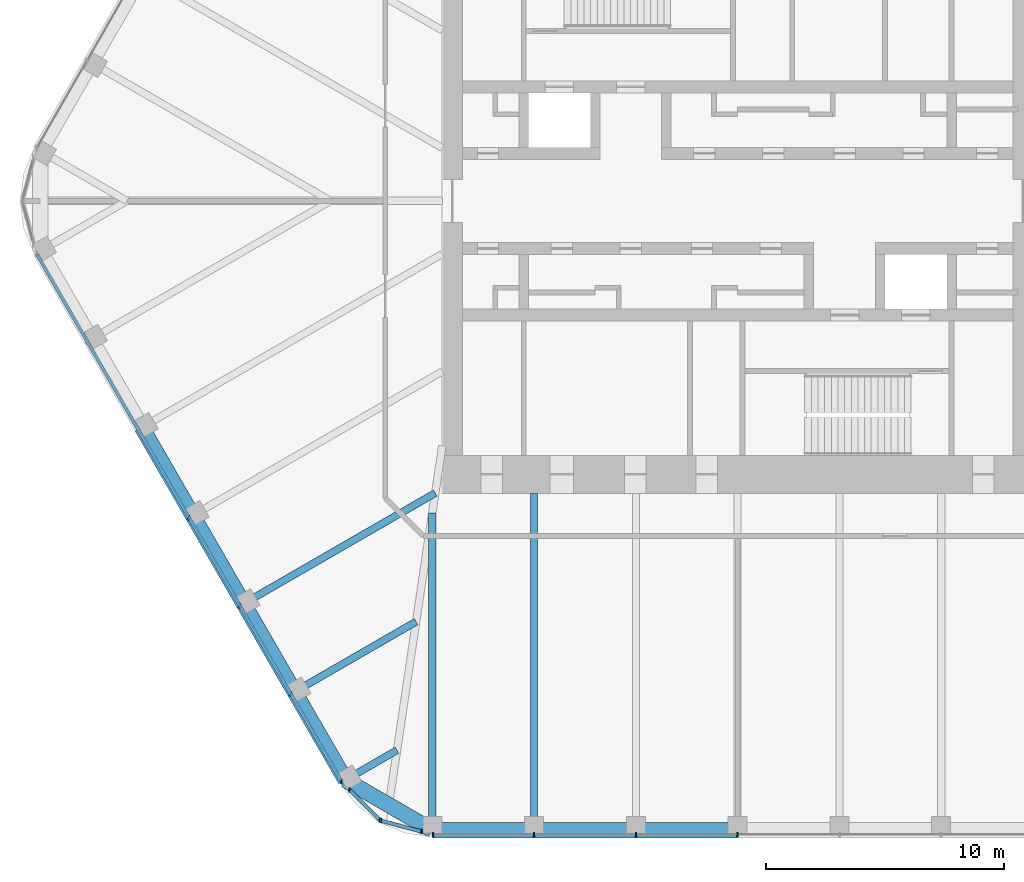
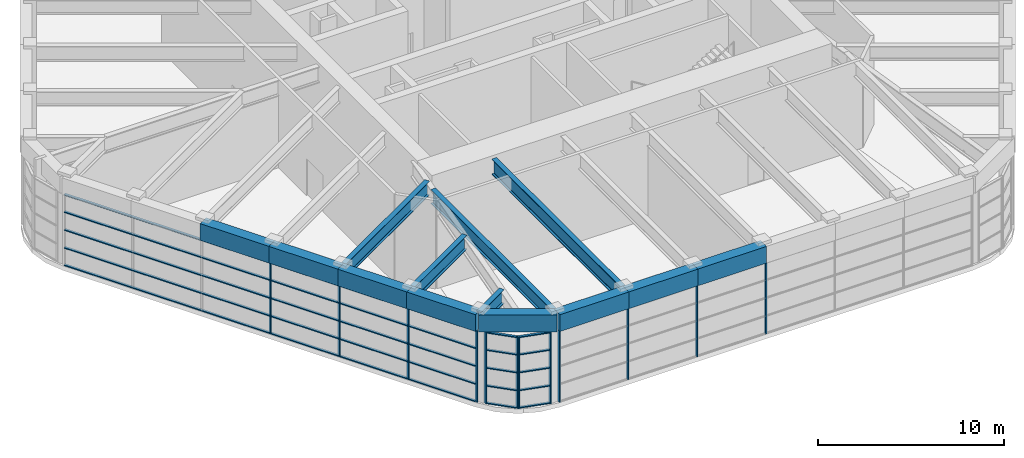
# One storey, part 2 of 16: 27 members, 13 beams, 4 elements without a shape of their own.
"""IFC4 building model written with IfcOpenShell, lengths in metres."""

from ifc_helpers import new_model, si_unit, direction, frame, origin, origin_2d, place, context, subcontext, project, spatial, rectangle, i_section, extrude, material, material_profile, profile_set, type_object, element, aggregate, save


model = new_model("IFC4")

# Units and contexts
model_context = context("Model", 3, precision=1e-05, world=origin(), true_north=direction((0.0, 1.0)))
body_context = subcontext(model_context, "Body", "Model", "MODEL_VIEW")
ifc_project = project(units=[si_unit("LENGTHUNIT", "METRE"), si_unit("AREAUNIT", "SQUARE_METRE"), si_unit("VOLUMEUNIT", "CUBIC_METRE"), si_unit("PLANEANGLEUNIT", "RADIAN"), si_unit("MASSUNIT", "GRAM", prefix="KILO")], contexts=[model_context])

# Site, building, storey
site_placement = place(None, origin())
site = spatial("IfcSite", under=ifc_project, at=site_placement, CompositionType="ELEMENT")
building_placement = place(site_placement, origin())
building = spatial("IfcBuilding", under=site, at=building_placement, Name="Tarfa Lantern Tower", CompositionType="ELEMENT")
storey_placement = place(building_placement, frame((0.0, 0.0, 396.300048828125)))
storey = spatial("IfcBuildingStorey", under=building, at=storey_placement, Name="L90", CompositionType="ELEMENT", Elevation=396.300048828125)

# Curtain wall, members
ifc_material_1 = material(Name="Aluminium framed curtain wall", Category="aluminium")
curtain_wall_type = type_object("IfcCurtainWallType", Name="CW8 LANTERN GLAZING 4700", PredefinedType="USERDEFINED", material=ifc_material_1)
curtain_wall_1_placement = place(storey_placement, origin())
curtain_wall_1 = element("IfcCurtainWall", 1, at=curtain_wall_1_placement, inside=storey, type_object=curtain_wall_type, Name="CW8 SWS1 L90", ObjectType="CURTAIN WALL", PredefinedType="USERDEFINED")
ifc_material_2 = material(Name="Aluminium mullion", Category="aluminium")
ifc_material_profile_1 = material_profile(ifc_material_2, rectangle(XDim=0.06494140625, YDim=0.199951171875, at=origin_2d()), Name="AL MULLION 65x200")
ifc_profile_set_1 = profile_set([ifc_material_profile_1], Name="Aluminium mullion")
member_type_1 = type_object("IfcMemberType", Name="CWM1 MULLION 65x200", PredefinedType="MULLION", material=ifc_profile_set_1)
member_1_placement = place(storey_placement, frame((-16.32177734375, -24.78466796875, 0.0), z_axis=(0.0, 0.0, 1.0), x_axis=(1.0, 0.0, 0.0)))
member_1 = element("IfcMember", 2, at=member_1_placement, type_object=member_type_1, Name="CW8 mullion 1", PredefinedType="MULLION", context=body_context, shape_type="SweptSolid", body=[
    extrude(rectangle(XDim=0.06494140625, YDim=0.199951171875, at=origin_2d()), origin(), (0.0, 0.0, 1.0), 4.699951171875),
])
member_2_placement = place(storey_placement, frame((-15.069091796875, -26.03759765625, 0.0), z_axis=(0.0, 0.0, 1.0), x_axis=(1.0, 0.0, 0.0)))
member_2 = element("IfcMember", 3, at=member_2_placement, type_object=member_type_1, Name="CW8 mullion 2", PredefinedType="MULLION", context=body_context, shape_type="SweptSolid", body=[
    extrude(rectangle(XDim=0.06494140625, YDim=0.199951171875, at=origin_2d()), origin(), (0.0, 0.0, 1.0), 4.699951171875),
])

curtain_wall_2_placement = place(storey_placement, origin())
curtain_wall_2 = element("IfcCurtainWall", 4, at=curtain_wall_2_placement, inside=storey, type_object=curtain_wall_type, Name="CW8 SWS2 L90", ObjectType="CURTAIN WALL", PredefinedType="USERDEFINED")
member_3_placement = place(storey_placement, frame((-15.0146484375, -26.06884765625, 0.0), z_axis=(0.0, 0.0, 1.0), x_axis=(1.0, 0.0, 0.0)))
member_3 = element("IfcMember", 5, at=member_3_placement, type_object=member_type_1, Name="CW8 mullion 1", PredefinedType="MULLION", context=body_context, shape_type="SweptSolid", body=[
    extrude(rectangle(XDim=0.06494140625, YDim=0.199951171875, at=origin_2d()), origin(), (0.0, 0.0, 1.0), 4.699951171875),
])
member_4_placement = place(storey_placement, frame((-13.30322265625, -26.527587890625, 0.0), z_axis=(0.0, 0.0, 1.0), x_axis=(1.0, 0.0, 0.0)))
member_4 = element("IfcMember", 6, at=member_4_placement, type_object=member_type_1, Name="CW8 mullion 2", PredefinedType="MULLION", context=body_context, shape_type="SweptSolid", body=[
    extrude(rectangle(XDim=0.06494140625, YDim=0.199951171875, at=origin_2d()), origin(), (0.0, 0.0, 1.0), 4.699951171875),
])

curtain_wall_3_placement = place(storey_placement, origin())
curtain_wall_3 = element("IfcCurtainWall", 7, at=curtain_wall_3_placement, inside=storey, type_object=curtain_wall_type, Name="CW8 SW L90", ObjectType="CURTAIN WALL", PredefinedType="USERDEFINED")
member_5_placement = place(storey_placement, frame((-23.07958984375, -13.324951171875, 0.0), z_axis=(0.0, 0.0, 1.0), x_axis=(1.0, 0.0, 0.0)))
member_5 = element("IfcMember", 8, at=member_5_placement, type_object=member_type_1, Name="CW8 mullion 4", PredefinedType="MULLION", context=body_context, shape_type="SweptSolid", body=[
    extrude(rectangle(XDim=0.06494140625, YDim=0.199951171875, at=origin_2d()), origin(), (0.0, 0.0, 1.0), 4.699951171875),
])
member_6_placement = place(storey_placement, frame((-20.9384765625, -17.033447265625, 0.0), z_axis=(0.0, 0.0, 1.0), x_axis=(1.0, 0.0, 0.0)))
member_6 = element("IfcMember", 9, at=member_6_placement, type_object=member_type_1, Name="CW8 mullion 5", PredefinedType="MULLION", context=body_context, shape_type="SweptSolid", body=[
    extrude(rectangle(XDim=0.06494140625, YDim=0.199951171875, at=origin_2d()), origin(), (0.0, 0.0, 1.0), 4.699951171875),
])
member_7_placement = place(storey_placement, frame((-18.797607421875, -20.74169921875, 0.0), z_axis=(0.0, 0.0, 1.0), x_axis=(1.0, 0.0, 0.0)))
member_7 = element("IfcMember", 10, at=member_7_placement, type_object=member_type_1, Name="CW8 mullion 6", PredefinedType="MULLION", context=body_context, shape_type="SweptSolid", body=[
    extrude(rectangle(XDim=0.06494140625, YDim=0.199951171875, at=origin_2d()), origin(), (0.0, 0.0, 1.0), 4.699951171875),
])
member_8_placement = place(storey_placement, frame((-16.6728515625, -24.421875, 0.0), z_axis=(0.0, 0.0, 1.0), x_axis=(1.0, 0.0, 0.0)))
member_8 = element("IfcMember", 11, at=member_8_placement, type_object=member_type_1, Name="CW8 mullion 7", PredefinedType="MULLION", context=body_context, shape_type="SweptSolid", body=[
    extrude(rectangle(XDim=0.06494140625, YDim=0.199951171875, at=origin_2d()), origin(), (0.0, 0.0, 1.0), 4.699951171875),
])

curtain_wall_4_placement = place(storey_placement, origin())
curtain_wall_4 = element("IfcCurtainWall", 12, at=curtain_wall_4_placement, inside=storey, type_object=curtain_wall_type, Name="CW8 S L90", ObjectType="CURTAIN WALL", PredefinedType="USERDEFINED")
member_9_placement = place(storey_placement, frame((-12.8134765625, -26.64990234375, 0.0), z_axis=(0.0, 0.0, 1.0), x_axis=(1.0, 0.0, 0.0)))
member_9 = element("IfcMember", 13, at=member_9_placement, type_object=member_type_1, Name="CW8 mullion 1", PredefinedType="MULLION", context=body_context, shape_type="SweptSolid", body=[
    extrude(rectangle(XDim=0.06494140625, YDim=0.199951171875, at=origin_2d()), origin(), (0.0, 0.0, 1.0), 4.699951171875),
])
member_10_placement = place(storey_placement, frame((-8.56396484375, -26.64990234375, 0.0), z_axis=(0.0, 0.0, 1.0), x_axis=(1.0, 0.0, 0.0)))
member_10 = element("IfcMember", 14, at=member_10_placement, type_object=member_type_1, Name="CW8 mullion 2", PredefinedType="MULLION", context=body_context, shape_type="SweptSolid", body=[
    extrude(rectangle(XDim=0.06494140625, YDim=0.199951171875, at=origin_2d()), origin(), (0.0, 0.0, 1.0), 4.699951171875),
])
member_11_placement = place(storey_placement, frame((-4.281982421875, -26.64990234375, 0.0), z_axis=(0.0, 0.0, 1.0), x_axis=(1.0, 0.0, 0.0)))
member_11 = element("IfcMember", 15, at=member_11_placement, type_object=member_type_1, Name="CW8 mullion 3", PredefinedType="MULLION", context=body_context, shape_type="SweptSolid", body=[
    extrude(rectangle(XDim=0.06494140625, YDim=0.199951171875, at=origin_2d()), origin(), (0.0, 0.0, 1.0), 4.699951171875),
])
member_12_placement = place(storey_placement, frame((0.0, -26.64990234375, 0.0), z_axis=(0.0, 0.0, 1.0), x_axis=(1.0, 0.0, 0.0)))
member_12 = element("IfcMember", 16, at=member_12_placement, type_object=member_type_1, Name="CW8 mullion 4", PredefinedType="MULLION", context=body_context, shape_type="SweptSolid", body=[
    extrude(rectangle(XDim=0.06494140625, YDim=0.199951171875, at=origin_2d()), origin(), (0.0, 0.0, 1.0), 4.699951171875),
])
aggregate(curtain_wall_4, [member_9, member_10, member_11, member_12])

# Member
ifc_material_3 = material(Name="Aluminium transom", Category="aluminium")
ifc_material_profile_2 = material_profile(ifc_material_3, rectangle(XDim=0.14990234375, YDim=0.06494140625, at=origin_2d()), Name="AL TRANSOM 150x65")
ifc_profile_set_2 = profile_set([ifc_material_profile_2], Name="Aluminium transom")
member_type_2 = type_object("IfcMemberType", Name="CWT1 TRANSOM 150x65", PredefinedType="USERDEFINED", material=ifc_profile_set_2)
member_13_placement = place(storey_placement, frame((-16.298828125, -24.8076171875, 0.032470703125), z_axis=(0.707035258729, -0.70717829641, 0.0), x_axis=(0.70717829641, 0.707035258729, 0.0)))
member_13 = element("IfcMember", 17, at=member_13_placement, type_object=member_type_2, Name="CW8 transom 1.1", ObjectType="TRANSOM", PredefinedType="USERDEFINED", context=body_context, shape_type="SweptSolid", body=[
    extrude(rectangle(XDim=0.14990234375, YDim=0.06494140625, at=origin_2d()), origin(), (0.0, 0.0, 1.0), 1.706787109375),
])

member_14_placement = place(storey_placement, frame((-16.298828125, -24.8076171875, 1.175048828125), z_axis=(0.707035258729, -0.70717829641, 0.0), x_axis=(0.70717829641, 0.707035258729, 0.0)))
member_14 = element("IfcMember", 18, at=member_14_placement, type_object=member_type_2, Name="CW8 transom 1.2", ObjectType="TRANSOM", PredefinedType="USERDEFINED", context=body_context, shape_type="SweptSolid", body=[
    extrude(rectangle(XDim=0.14990234375, YDim=0.06494140625, at=origin_2d()), origin(), (0.0, 0.0, 1.0), 1.706787109375),
])

member_15_placement = place(storey_placement, frame((-16.298828125, -24.8076171875, 2.349853515625), z_axis=(0.707035258729, -0.70717829641, 0.0), x_axis=(0.70717829641, 0.707035258729, 0.0)))
member_15 = element("IfcMember", 19, at=member_15_placement, type_object=member_type_2, Name="CW8 transom 1.3", ObjectType="TRANSOM", PredefinedType="USERDEFINED", context=body_context, shape_type="SweptSolid", body=[
    extrude(rectangle(XDim=0.14990234375, YDim=0.06494140625, at=origin_2d()), origin(), (0.0, 0.0, 1.0), 1.706787109375),
])

member_16_placement = place(storey_placement, frame((-16.298828125, -24.8076171875, 3.52490234375), z_axis=(0.707035258729, -0.70717829641, 0.0), x_axis=(0.70717829641, 0.707035258729, 0.0)))
member_16 = element("IfcMember", 20, at=member_16_placement, type_object=member_type_2, Name="CW8 transom 1.4", ObjectType="TRANSOM", PredefinedType="USERDEFINED", context=body_context, shape_type="SweptSolid", body=[
    extrude(rectangle(XDim=0.14990234375, YDim=0.06494140625, at=origin_2d()), origin(), (0.0, 0.0, 1.0), 1.706787109375),
])

member_17_placement = place(storey_placement, frame((-16.298828125, -24.8076171875, 4.66748046875), z_axis=(0.707035258729, -0.70717829641, 0.0), x_axis=(0.70717829641, 0.707035258729, 0.0)))
member_17 = element("IfcMember", 21, at=member_17_placement, type_object=member_type_2, Name="CW8 transom 1.5", ObjectType="TRANSOM", PredefinedType="USERDEFINED", context=body_context, shape_type="SweptSolid", body=[
    extrude(rectangle(XDim=0.14990234375, YDim=0.06494140625, at=origin_2d()), origin(), (0.0, 0.0, 1.0), 1.706787109375),
])

aggregate(curtain_wall_1, [member_1, member_2, member_13, member_14, member_15, member_16, member_17])

member_18_placement = place(storey_placement, frame((-14.983154296875, -26.077392578125, 0.032470703125), z_axis=(0.965932726646, -0.258793291247, 0.0), x_axis=(0.258793291247, 0.965932726646, 0.0)))
member_18 = element("IfcMember", 22, at=member_18_placement, type_object=member_type_2, Name="CW8 transom 1.1", ObjectType="TRANSOM", PredefinedType="USERDEFINED", context=body_context, shape_type="SweptSolid", body=[
    extrude(rectangle(XDim=0.14990234375, YDim=0.06494140625, at=origin_2d()), origin(), (0.0, 0.0, 1.0), 1.70654296875),
])

member_19_placement = place(storey_placement, frame((-14.983154296875, -26.077392578125, 1.175048828125), z_axis=(0.965932726646, -0.258793291247, 0.0), x_axis=(0.258793291247, 0.965932726646, 0.0)))
member_19 = element("IfcMember", 23, at=member_19_placement, type_object=member_type_2, Name="CW8 transom 1.2", ObjectType="TRANSOM", PredefinedType="USERDEFINED", context=body_context, shape_type="SweptSolid", body=[
    extrude(rectangle(XDim=0.14990234375, YDim=0.06494140625, at=origin_2d()), origin(), (0.0, 0.0, 1.0), 1.70654296875),
])

member_20_placement = place(storey_placement, frame((-14.983154296875, -26.077392578125, 2.349853515625), z_axis=(0.965932726646, -0.258793291247, 0.0), x_axis=(0.258793291247, 0.965932726646, 0.0)))
member_20 = element("IfcMember", 24, at=member_20_placement, type_object=member_type_2, Name="CW8 transom 1.3", ObjectType="TRANSOM", PredefinedType="USERDEFINED", context=body_context, shape_type="SweptSolid", body=[
    extrude(rectangle(XDim=0.14990234375, YDim=0.06494140625, at=origin_2d()), origin(), (0.0, 0.0, 1.0), 1.70654296875),
])

member_21_placement = place(storey_placement, frame((-14.983154296875, -26.077392578125, 3.52490234375), z_axis=(0.965932726646, -0.258793291247, 0.0), x_axis=(0.258793291247, 0.965932726646, 0.0)))
member_21 = element("IfcMember", 25, at=member_21_placement, type_object=member_type_2, Name="CW8 transom 1.4", ObjectType="TRANSOM", PredefinedType="USERDEFINED", context=body_context, shape_type="SweptSolid", body=[
    extrude(rectangle(XDim=0.14990234375, YDim=0.06494140625, at=origin_2d()), origin(), (0.0, 0.0, 1.0), 1.70654296875),
])

member_22_placement = place(storey_placement, frame((-14.983154296875, -26.077392578125, 4.66748046875), z_axis=(0.965932726646, -0.258793291247, 0.0), x_axis=(0.258793291247, 0.965932726646, 0.0)))
member_22 = element("IfcMember", 26, at=member_22_placement, type_object=member_type_2, Name="CW8 transom 1.5", ObjectType="TRANSOM", PredefinedType="USERDEFINED", context=body_context, shape_type="SweptSolid", body=[
    extrude(rectangle(XDim=0.14990234375, YDim=0.06494140625, at=origin_2d()), origin(), (0.0, 0.0, 1.0), 1.70654296875),
])

aggregate(curtain_wall_2, [member_3, member_4, member_18, member_19, member_20, member_21, member_22])

member_23_placement = place(storey_placement, frame((-29.47021484375, -2.25634765625, 0.032470703125), z_axis=(0.500005475065, -0.866022242731, 0.0), x_axis=(0.866022242731, 0.500005475065, 0.0)))
member_23 = element("IfcMember", 27, at=member_23_placement, type_object=member_type_2, Name="CW8 transom 1.1", ObjectType="TRANSOM", PredefinedType="USERDEFINED", context=body_context, shape_type="SweptSolid", body=[
    extrude(rectangle(XDim=0.14990234375, YDim=0.06494140625, at=origin_2d()), origin(), (0.0, 0.0, 1.0), 25.562255859375),
])

member_24_placement = place(storey_placement, frame((-29.47021484375, -2.25634765625, 1.175048828125), z_axis=(0.500005475065, -0.866022242731, 0.0), x_axis=(0.866022242731, 0.500005475065, 0.0)))
member_24 = element("IfcMember", 28, at=member_24_placement, type_object=member_type_2, Name="CW8 transom 1.2", ObjectType="TRANSOM", PredefinedType="USERDEFINED", context=body_context, shape_type="SweptSolid", body=[
    extrude(rectangle(XDim=0.14990234375, YDim=0.06494140625, at=origin_2d()), origin(), (0.0, 0.0, 1.0), 25.562255859375),
])

member_25_placement = place(storey_placement, frame((-29.47021484375, -2.25634765625, 2.349853515625), z_axis=(0.500005475065, -0.866022242731, 0.0), x_axis=(0.866022242731, 0.500005475065, 0.0)))
member_25 = element("IfcMember", 29, at=member_25_placement, type_object=member_type_2, Name="CW8 transom 1.3", ObjectType="TRANSOM", PredefinedType="USERDEFINED", context=body_context, shape_type="SweptSolid", body=[
    extrude(rectangle(XDim=0.14990234375, YDim=0.06494140625, at=origin_2d()), origin(), (0.0, 0.0, 1.0), 25.562255859375),
])

member_26_placement = place(storey_placement, frame((-29.47021484375, -2.25634765625, 3.52490234375), z_axis=(0.500005475065, -0.866022242731, 0.0), x_axis=(0.866022242731, 0.500005475065, 0.0)))
member_26 = element("IfcMember", 30, at=member_26_placement, type_object=member_type_2, Name="CW8 transom 1.4", ObjectType="TRANSOM", PredefinedType="USERDEFINED", context=body_context, shape_type="SweptSolid", body=[
    extrude(rectangle(XDim=0.14990234375, YDim=0.06494140625, at=origin_2d()), origin(), (0.0, 0.0, 1.0), 25.562255859375),
])

member_27_placement = place(storey_placement, frame((-29.47021484375, -2.25634765625, 4.66748046875), z_axis=(0.500005475065, -0.866022242731, 0.0), x_axis=(0.866022242731, 0.500005475065, 0.0)))
member_27 = element("IfcMember", 31, at=member_27_placement, type_object=member_type_2, Name="CW8 transom 1.5", ObjectType="TRANSOM", PredefinedType="USERDEFINED", context=body_context, shape_type="SweptSolid", body=[
    extrude(rectangle(XDim=0.14990234375, YDim=0.06494140625, at=origin_2d()), origin(), (0.0, 0.0, 1.0), 25.562255859375),
])

aggregate(curtain_wall_3, [member_5, member_6, member_7, member_8, member_23, member_24, member_25, member_26, member_27])

# Beams
ifc_material_4 = material(Name="Concrete C80/95", Category="concrete")
ifc_material_profile_3 = material_profile(ifc_material_4, rectangle(XDim=0.64990234375, YDim=1.10009765625, at=origin_2d()), Name="RC 650x1100")
ifc_profile_set_3 = profile_set([ifc_material_profile_3], Name="Concrete C80/95")
beam_type_1 = type_object("IfcBeamType", Name="EB4 RC 650x1100", PredefinedType="SPANDREL", material=ifc_profile_set_3)
beam_1_placement = place(storey_placement, frame((-25.064697265625, -9.526611328125, 5.25), z_axis=(0.500002112793, -0.866024183959, 0.0), x_axis=(0.866024183959, 0.500002112793, 0.0)))
element("IfcBeam", 32, at=beam_1_placement, inside=storey, type_object=beam_type_1, Name="Edge beam SW2", PredefinedType="SPANDREL", context=body_context, shape_type="SweptSolid", body=[
    extrude(rectangle(XDim=0.64990234375, YDim=1.10009765625, at=origin_2d()), origin(), (0.0, 0.0, 1.0), 4.2822265625),
])
for number, where, z_axis, x_axis, name in (
    (33, (-22.923583984375, -13.235107421875, 5.25), (0.499984039138, -0.866034618596, 0.0), (0.866034618596, 0.499984039138, 0.0), "Edge beam SW3"),
    (34, (-20.78271484375, -16.943359375, 5.25), (0.500026801138, -0.866009929587, 0.0), (0.866009929587, 0.500026801138, 0.0), "Edge beam SW4"),
    (35, (-18.6416015625, -20.651611328125, 5.25), (0.499959351497, -0.866048870937, 0.0), (0.866048870937, 0.499959351497, 0.0), "Edge beam SW5"),
):
    element("IfcBeam", number, at=place(storey_placement, frame(where, z_axis=z_axis, x_axis=x_axis)), inside=storey, type_object=beam_type_1, Name=name, PredefinedType="SPANDREL", context=body_context, shape_type="SweptSolid", body=[
        extrude(rectangle(XDim=0.64990234375, YDim=1.10009765625, at=origin_2d()), origin(), (0.0, 0.0, 1.0), 4.281982421875),
    ])
beam_2_placement = place(storey_placement, frame((-16.500732421875, -24.360107421875, 5.25), z_axis=(0.866048788483, -0.499959494327, 0.0), x_axis=(0.499959494327, 0.866048788483, 0.0)))
element("IfcBeam", 36, at=beam_2_placement, inside=storey, type_object=beam_type_1, Name="Edge beam SW6", PredefinedType="SPANDREL", context=body_context, shape_type="SweptSolid", body=[
    extrude(rectangle(XDim=0.64990234375, YDim=1.10009765625, at=origin_2d()), origin(), (0.0, 0.0, 1.0), 4.219970703125),
])
for number, where, z_axis, x_axis, name in (
    (37, (-12.845947265625, -26.469970703125, 5.25), (1.0, 0.0, 0.0), (0.0, 1.0, 0.0), "Edge beam S0"),
    (38, (-8.56396484375, -26.469970703125, 5.25), (1.0, 0.0, 0.0), (0.0, 1.0, 0.0), "Edge beam S1"),
    (39, (-4.281982421875, -26.469970703125, 5.25), (1.0, 0.0, 0.0), (0.0, 1.0, 0.0), "Edge beam S2"),
):
    element("IfcBeam", number, at=place(storey_placement, frame(where, z_axis=z_axis, x_axis=x_axis)), inside=storey, type_object=beam_type_1, Name=name, PredefinedType="SPANDREL", context=body_context, shape_type="SweptSolid", body=[
        extrude(rectangle(XDim=0.64990234375, YDim=1.10009765625, at=origin_2d()), origin(), (0.0, 0.0, 1.0), 4.281982421875),
    ])
ifc_material_5 = material(Name="Steel S460M", Category="steel")
ifc_material_profile_4 = material_profile(ifc_material_5, i_section(OverallWidth=0.302001953125, OverallDepth=1.008056640625, WebThickness=0.02099609375, FlangeThickness=0.0400390625, FilletRadius=0.030029296875, at=origin_2d()), Name="UB1016x305x349")
ifc_profile_set_4 = profile_set([ifc_material_profile_4], Name="Steel S460M")
beam_type_2 = type_object("IfcBeamType", Name="UB1016x305x349", PredefinedType="BEAM", material=ifc_profile_set_4)
beam_3_placement = place(storey_placement, frame((-8.56396484375, -26.469970703125, 5.2958984375), z_axis=(0.0, 1.0, 0.0), x_axis=(-1.0, 0.0, 0.0)))
element("IfcBeam", 40, at=beam_3_placement, inside=storey, type_object=beam_type_2, Name="Floor beam S1", PredefinedType="BEAM", context=body_context, shape_type="SweptSolid", body=[
    extrude(i_section(OverallWidth=0.302001953125, OverallDepth=1.008056640625, WebThickness=0.02099609375, FlangeThickness=0.0400390625, FilletRadius=0.030029296875, at=origin_2d()), origin(), (0.0, 0.0, 1.0), 14.169921875),
])
ifc_material_profile_5 = material_profile(ifc_material_5, i_section(OverallWidth=0.305419921875, OverallDepth=0.91845703125, WebThickness=0.017333984375, FlangeThickness=0.02783203125, FilletRadius=0.01904296875, at=origin_2d()), Name="UB914x305x253")
ifc_profile_set_5 = profile_set([ifc_material_profile_5], Name="Steel S460M")
beam_type_3 = type_object("IfcBeamType", Name="UB914x305x253", PredefinedType="BEAM", material=ifc_profile_set_5)
beam_4_placement = place(storey_placement, frame((-20.78271484375, -16.943359375, 5.3408203125), z_axis=(0.866021806508, 0.500006230613, 0.0), x_axis=(-0.500006230613, 0.866021806508, 0.0)))
element("IfcBeam", 41, at=beam_4_placement, inside=storey, type_object=beam_type_3, Name="Floor beam SW4", PredefinedType="BEAM", context=body_context, shape_type="SweptSolid", body=[
    extrude(i_section(OverallWidth=0.305419921875, OverallDepth=0.91845703125, WebThickness=0.017333984375, FlangeThickness=0.02783203125, FilletRadius=0.01904296875, at=origin_2d()), origin(), (0.0, 0.0, 1.0), 9.30908203125),
])
beam_5_placement = place(storey_placement, frame((-18.6416015625, -20.651611328125, 5.3408203125), z_axis=(0.866024549157, 0.500001480256, 0.0), x_axis=(-0.500001480256, 0.866024549157, 0.0)))
element("IfcBeam", 42, at=beam_5_placement, inside=storey, type_object=beam_type_3, Name="Floor beam SW5", PredefinedType="BEAM", context=body_context, shape_type="SweptSolid", body=[
    extrude(i_section(OverallWidth=0.305419921875, OverallDepth=0.91845703125, WebThickness=0.017333984375, FlangeThickness=0.02783203125, FilletRadius=0.01904296875, at=origin_2d()), origin(), (0.0, 0.0, 1.0), 5.90771484375),
])
beam_6_placement = place(storey_placement, frame((-16.500732421875, -24.360107421875, 5.3408203125), z_axis=(0.865992557167, 0.500056887695, 0.0), x_axis=(-0.500056887695, 0.865992557167, 0.0)))
element("IfcBeam", 43, at=beam_6_placement, inside=storey, type_object=beam_type_3, Name="Floor beam SW6", PredefinedType="BEAM", context=body_context, shape_type="SweptSolid", body=[
    extrude(i_section(OverallWidth=0.305419921875, OverallDepth=0.91845703125, WebThickness=0.017333984375, FlangeThickness=0.02783203125, FilletRadius=0.01904296875, at=origin_2d()), origin(), (0.0, 0.0, 1.0), 2.506591796875),
])
beam_7_placement = place(storey_placement, frame((-12.845947265625, -26.469970703125, 5.3408203125), z_axis=(0.0, 1.0, 0.0), x_axis=(-1.0, 0.0, 0.0)))
element("IfcBeam", 44, at=beam_7_placement, inside=storey, type_object=beam_type_3, Name="Floor beam S0", PredefinedType="BEAM", context=body_context, shape_type="SweptSolid", body=[
    extrude(i_section(OverallWidth=0.305419921875, OverallDepth=0.91845703125, WebThickness=0.017333984375, FlangeThickness=0.02783203125, FilletRadius=0.01904296875, at=origin_2d()), origin(), (0.0, 0.0, 1.0), 13.33935546875),
])

save(model, "model.ifc")
